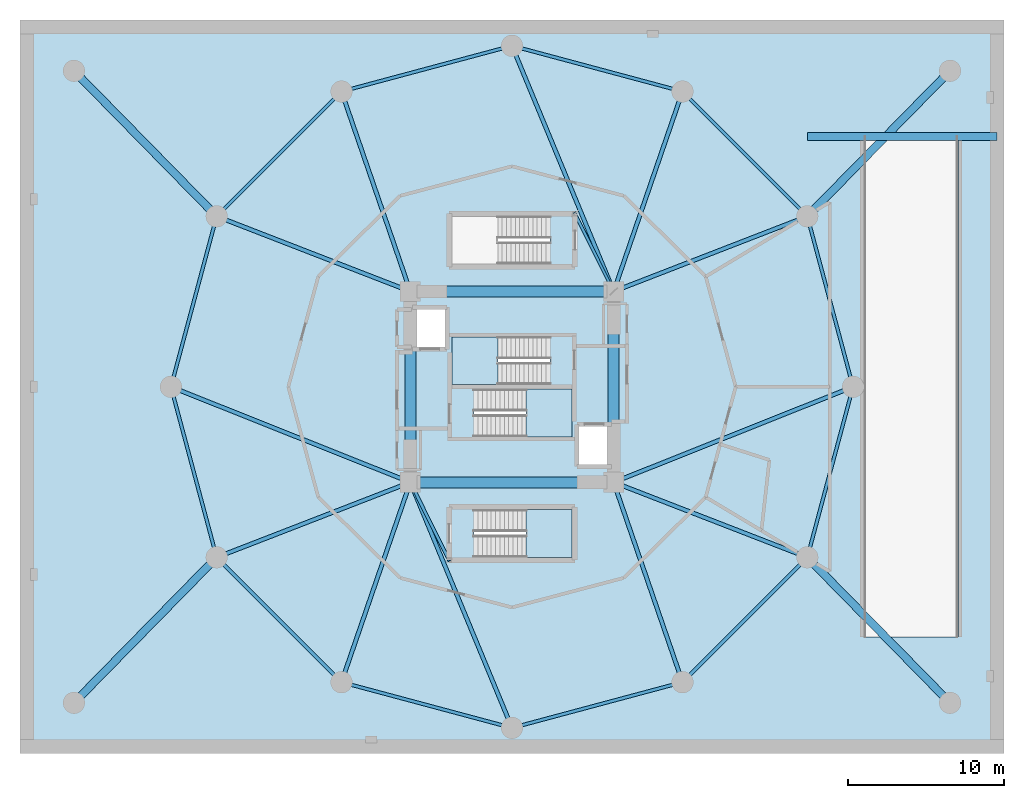
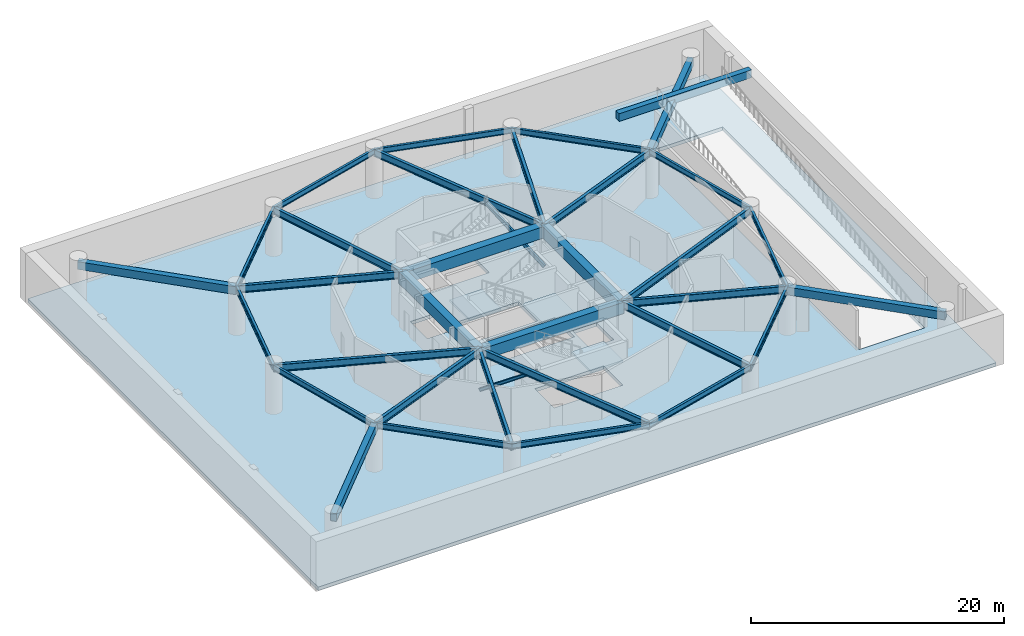
# One storey, part 4 of 10: 33 beams, 4 slabs, 2 members, 3 elements without a shape of their own.
"""IFC4 building model written with IfcOpenShell, lengths in metres."""

from ifc_helpers import new_model, si_unit, direction, frame, origin, origin_2d, place, context, subcontext, project, spatial, polyline, rectangle, hollow_rectangle, i_section, outline, extrude, material, layer, layer_set, material_profile, profile_set, type_object, element, aggregate, save


model = new_model("IFC4")

# Units and contexts
model_context = context("Model", 3, precision=1e-05, world=origin(), true_north=direction((0.0, 1.0)))
body_context = subcontext(model_context, "Body", "Model", "MODEL_VIEW")
ifc_project = project(units=[si_unit("LENGTHUNIT", "METRE"), si_unit("AREAUNIT", "SQUARE_METRE"), si_unit("VOLUMEUNIT", "CUBIC_METRE"), si_unit("PLANEANGLEUNIT", "RADIAN"), si_unit("MASSUNIT", "GRAM", prefix="KILO")], contexts=[model_context])

# Site, building, storey
site_placement = place(None, origin())
site = spatial("IfcSite", under=ifc_project, at=site_placement, CompositionType="ELEMENT")
building_placement = place(site_placement, origin())
building = spatial("IfcBuilding", under=site, at=building_placement, Name="Solvirekh Grand Hotel", CompositionType="ELEMENT")
storey_placement = place(building_placement, frame((0.0, 0.0, -4.800048828125)))
storey = spatial("IfcBuildingStorey", under=building, at=storey_placement, Name="B01", CompositionType="ELEMENT", Elevation=-4.800048828125)

# Beams
ifc_material_1 = material(Name="Concrete C50/60", Category="concrete")
ifc_material_profile_1 = material_profile(ifc_material_1, rectangle(XDim=0.5, YDim=0.75, at=origin_2d()), Name="RC BEAM 500X750")
ifc_profile_set_1 = profile_set([ifc_material_profile_1], Name="Concrete C50/60")
beam_type_1 = type_object("IfcBeamType", Name="Beam_Bsmt_RC750", PredefinedType="BEAM", material=ifc_profile_set_1)
beam_1_placement = place(storey_placement, frame((18.89990234375, 16.0, 4.425048828125), z_axis=(1.0, 0.0, 0.0), x_axis=(0.0, 1.0, 0.0)))
element("IfcBeam", 1, at=beam_1_placement, inside=storey, type_object=beam_type_1, Name="B01 vehicle ramp top landing support beam", PredefinedType="BEAM", context=body_context, shape_type="SweptSolid", body=[
    extrude(rectangle(XDim=0.5, YDim=0.75, at=origin_2d()), origin(), (0.0, 0.0, 1.0), 12.10009765625),
])
for number, where, z_axis, x_axis, name in (
    (2, (-28.0, 20.199951171875, 4.02001953125), (0.70020444152, -0.713942392687, 0.0), (0.713942392687, 0.70020444152, 0.0), "B01 basement corner tie beam BC-NW"),
    (3, (28.0, 20.199951171875, 4.02001953125), (-0.70020444152, -0.713942392687, 0.0), (0.713942392687, -0.70020444152, 0.0), "B01 basement corner tie beam BC-NE"),
    (4, (-28.0, -20.199951171875, 4.02001953125), (0.70020444152, 0.713942392687, 0.0), (-0.713942392687, 0.70020444152, 0.0), "B01 basement corner tie beam BC-SW"),
    (5, (28.0, -20.199951171875, 4.02001953125), (-0.70020444152, 0.713942392687, 0.0), (-0.713942392687, -0.70020444152, 0.0), "B01 basement corner tie beam BC-SE"),
):
    element("IfcBeam", number, at=place(storey_placement, frame(where, z_axis=z_axis, x_axis=x_axis)), inside=storey, type_object=beam_type_1, Name=name, PredefinedType="BEAM", context=body_context, shape_type="SweptSolid", body=[
        extrude(rectangle(XDim=0.5, YDim=0.75, at=origin_2d()), origin(), (0.0, 0.0, 1.0), 13.0263671875),
    ])
ifc_material_2 = material(Name="Concrete C60/75", Category="concrete")
ifc_material_profile_2 = material_profile(ifc_material_2, rectangle(XDim=0.699951171875, YDim=1.10009765625, at=origin_2d()), Name="RC BEAM 700X1100")
ifc_profile_set_2 = profile_set([ifc_material_profile_2], Name="Concrete C60/75")
beam_type_2 = type_object("IfcBeamType", Name="Beam_Core_RC1100", PredefinedType="BEAM", material=ifc_profile_set_2)
beam_2_placement = place(storey_placement, frame((-6.5, -6.10009765625, 3.844970703125), z_axis=(1.0, 0.0, 0.0), x_axis=(0.0, 1.0, 0.0)))
element("IfcBeam", 6, at=beam_2_placement, inside=storey, type_object=beam_type_2, Name="B01 core coupling ring beam 1", PredefinedType="BEAM", context=body_context, shape_type="SweptSolid", body=[
    extrude(rectangle(XDim=0.699951171875, YDim=1.10009765625, at=origin_2d()), origin(), (0.0, 0.0, 1.0), 13.0),
])
beam_3_placement = place(storey_placement, frame((6.5, -6.10009765625, 3.844970703125), z_axis=(0.0, 1.0, 0.0), x_axis=(-1.0, 0.0, 0.0)))
element("IfcBeam", 7, at=beam_3_placement, inside=storey, type_object=beam_type_2, Name="B01 core coupling ring beam 2", PredefinedType="BEAM", context=body_context, shape_type="SweptSolid", body=[
    extrude(rectangle(XDim=0.699951171875, YDim=1.10009765625, at=origin_2d()), origin(), (0.0, 0.0, 1.0), 12.2001953125),
])
beam_4_placement = place(storey_placement, frame((6.5, 6.10009765625, 3.844970703125), z_axis=(-1.0, 0.0, 0.0), x_axis=(0.0, -1.0, 0.0)))
element("IfcBeam", 8, at=beam_4_placement, inside=storey, type_object=beam_type_2, Name="B01 core coupling ring beam 3", PredefinedType="BEAM", context=body_context, shape_type="SweptSolid", body=[
    extrude(rectangle(XDim=0.699951171875, YDim=1.10009765625, at=origin_2d()), origin(), (0.0, 0.0, 1.0), 13.0),
])
beam_5_placement = place(storey_placement, frame((-6.5, 6.10009765625, 3.844970703125), z_axis=(0.0, -1.0, 0.0), x_axis=(1.0, 0.0, 0.0)))
element("IfcBeam", 9, at=beam_5_placement, inside=storey, type_object=beam_type_2, Name="B01 core coupling ring beam 4", PredefinedType="BEAM", context=body_context, shape_type="SweptSolid", body=[
    extrude(rectangle(XDim=0.699951171875, YDim=1.10009765625, at=origin_2d()), origin(), (0.0, 0.0, 1.0), 12.2001953125),
])
ifc_material_3 = material(Name="Steel S355", Category="steel")
ifc_material_profile_3 = material_profile(ifc_material_3, i_section(OverallWidth=0.2548828125, OverallDepth=0.695068359375, WebThickness=0.01611328125, FlangeThickness=0.028076171875, FilletRadius=0.01611328125, at=origin_2d()), Name="W690X217")
ifc_profile_set_3 = profile_set([ifc_material_profile_3], Name="Steel S355")
beam_type_3 = type_object("IfcBeamType", Name="Beam_Primary_W690", PredefinedType="BEAM", material=ifc_profile_set_3)
beam_6_placement = place(storey_placement, frame((6.5, -6.10009765625, 4.048095703125), z_axis=(0.9288931718, 0.370347776263, 0.0), x_axis=(-0.370347776263, 0.9288931718, 0.0)))
element("IfcBeam", 10, at=beam_6_placement, inside=storey, type_object=beam_type_3, Name="B01 radial floor beam R01", PredefinedType="BEAM", context=body_context, shape_type="SweptSolid", body=[
    extrude(i_section(OverallWidth=0.2548828125, OverallDepth=0.695068359375, WebThickness=0.01611328125, FlangeThickness=0.028076171875, FilletRadius=0.01611328125, at=origin_2d()), origin(), (0.0, 0.0, 1.0), 16.47119140625),
])
beam_7_placement = place(storey_placement, frame((6.5, 6.10009765625, 4.048095703125), z_axis=(0.932365862704, 0.361516110381, 0.0), x_axis=(-0.361516110381, 0.932365862704, 0.0)))
element("IfcBeam", 11, at=beam_7_placement, inside=storey, type_object=beam_type_3, Name="B01 radial floor beam R02", PredefinedType="BEAM", context=body_context, shape_type="SweptSolid", body=[
    extrude(i_section(OverallWidth=0.2548828125, OverallDepth=0.695068359375, WebThickness=0.01611328125, FlangeThickness=0.028076171875, FilletRadius=0.01611328125, at=origin_2d()), origin(), (0.0, 0.0, 1.0), 13.27685546875),
])
beam_8_placement = place(storey_placement, frame((6.5, 6.10009765625, 4.048095703125), z_axis=(0.325555300394, 0.94552300151, 0.0), x_axis=(-0.94552300151, 0.325555300394, 0.0)))
element("IfcBeam", 12, at=beam_8_placement, inside=storey, type_object=beam_type_3, Name="B01 radial floor beam R03", PredefinedType="BEAM", context=body_context, shape_type="SweptSolid", body=[
    extrude(i_section(OverallWidth=0.2548828125, OverallDepth=0.695068359375, WebThickness=0.01611328125, FlangeThickness=0.028076171875, FilletRadius=0.01611328125, at=origin_2d()), origin(), (0.0, 0.0, 1.0), 13.51513671875),
])
beam_9_placement = place(storey_placement, frame((6.5, 6.10009765625, 4.048095703125), z_axis=(-0.382526065589, 0.923944700264, 0.0), x_axis=(-0.923944700264, -0.382526065589, 0.0)))
element("IfcBeam", 13, at=beam_9_placement, inside=storey, type_object=beam_type_3, Name="B01 radial floor beam R04", PredefinedType="BEAM", context=body_context, shape_type="SweptSolid", body=[
    extrude(i_section(OverallWidth=0.2548828125, OverallDepth=0.695068359375, WebThickness=0.01611328125, FlangeThickness=0.028076171875, FilletRadius=0.01611328125, at=origin_2d()), origin(), (0.0, 0.0, 1.0), 16.9921875),
])
beam_10_placement = place(storey_placement, frame((-6.5, 6.10009765625, 4.048095703125), z_axis=(-0.325555300394, 0.94552300151, 0.0), x_axis=(-0.94552300151, -0.325555300394, 0.0)))
element("IfcBeam", 14, at=beam_10_placement, inside=storey, type_object=beam_type_3, Name="B01 radial floor beam R05", PredefinedType="BEAM", context=body_context, shape_type="SweptSolid", body=[
    extrude(i_section(OverallWidth=0.2548828125, OverallDepth=0.695068359375, WebThickness=0.01611328125, FlangeThickness=0.028076171875, FilletRadius=0.01611328125, at=origin_2d()), origin(), (0.0, 0.0, 1.0), 13.51513671875),
])
beam_11_placement = place(storey_placement, frame((-6.5, 6.10009765625, 4.048095703125), z_axis=(-0.932365862704, 0.361516110381, 0.0), x_axis=(-0.361516110381, -0.932365862704, 0.0)))
element("IfcBeam", 15, at=beam_11_placement, inside=storey, type_object=beam_type_3, Name="B01 radial floor beam R06", PredefinedType="BEAM", context=body_context, shape_type="SweptSolid", body=[
    extrude(i_section(OverallWidth=0.2548828125, OverallDepth=0.695068359375, WebThickness=0.01611328125, FlangeThickness=0.028076171875, FilletRadius=0.01611328125, at=origin_2d()), origin(), (0.0, 0.0, 1.0), 13.27685546875),
])
beam_12_placement = place(storey_placement, frame((-6.5, -6.10009765625, 4.048095703125), z_axis=(-0.9288931718, 0.370347776263, 0.0), x_axis=(-0.370347776263, -0.9288931718, 0.0)))
element("IfcBeam", 16, at=beam_12_placement, inside=storey, type_object=beam_type_3, Name="B01 radial floor beam R07", PredefinedType="BEAM", context=body_context, shape_type="SweptSolid", body=[
    extrude(i_section(OverallWidth=0.2548828125, OverallDepth=0.695068359375, WebThickness=0.01611328125, FlangeThickness=0.028076171875, FilletRadius=0.01611328125, at=origin_2d()), origin(), (0.0, 0.0, 1.0), 16.47119140625),
])
beam_13_placement = place(storey_placement, frame((-6.5, -6.10009765625, 4.048095703125), z_axis=(-0.932365862704, -0.361516110381, 0.0), x_axis=(0.361516110381, -0.932365862704, 0.0)))
element("IfcBeam", 17, at=beam_13_placement, inside=storey, type_object=beam_type_3, Name="B01 radial floor beam R08", PredefinedType="BEAM", context=body_context, shape_type="SweptSolid", body=[
    extrude(i_section(OverallWidth=0.2548828125, OverallDepth=0.695068359375, WebThickness=0.01611328125, FlangeThickness=0.028076171875, FilletRadius=0.01611328125, at=origin_2d()), origin(), (0.0, 0.0, 1.0), 13.27685546875),
])
beam_14_placement = place(storey_placement, frame((-6.5, -6.10009765625, 4.048095703125), z_axis=(-0.325555300394, -0.94552300151, 0.0), x_axis=(0.94552300151, -0.325555300394, 0.0)))
element("IfcBeam", 18, at=beam_14_placement, inside=storey, type_object=beam_type_3, Name="B01 radial floor beam R09", PredefinedType="BEAM", context=body_context, shape_type="SweptSolid", body=[
    extrude(i_section(OverallWidth=0.2548828125, OverallDepth=0.695068359375, WebThickness=0.01611328125, FlangeThickness=0.028076171875, FilletRadius=0.01611328125, at=origin_2d()), origin(), (0.0, 0.0, 1.0), 13.51513671875),
])
beam_15_placement = place(storey_placement, frame((-6.5, -6.10009765625, 4.048095703125), z_axis=(0.382526065589, -0.923944700264, 0.0), x_axis=(0.923944700264, 0.382526065589, 0.0)))
element("IfcBeam", 19, at=beam_15_placement, inside=storey, type_object=beam_type_3, Name="B01 radial floor beam R10", PredefinedType="BEAM", context=body_context, shape_type="SweptSolid", body=[
    extrude(i_section(OverallWidth=0.2548828125, OverallDepth=0.695068359375, WebThickness=0.01611328125, FlangeThickness=0.028076171875, FilletRadius=0.01611328125, at=origin_2d()), origin(), (0.0, 0.0, 1.0), 16.9921875),
])
beam_16_placement = place(storey_placement, frame((6.5, -6.10009765625, 4.048095703125), z_axis=(0.325555300394, -0.94552300151, 0.0), x_axis=(0.94552300151, 0.325555300394, 0.0)))
element("IfcBeam", 20, at=beam_16_placement, inside=storey, type_object=beam_type_3, Name="B01 radial floor beam R11", PredefinedType="BEAM", context=body_context, shape_type="SweptSolid", body=[
    extrude(i_section(OverallWidth=0.2548828125, OverallDepth=0.695068359375, WebThickness=0.01611328125, FlangeThickness=0.028076171875, FilletRadius=0.01611328125, at=origin_2d()), origin(), (0.0, 0.0, 1.0), 13.51513671875),
])
beam_17_placement = place(storey_placement, frame((6.5, -6.10009765625, 4.048095703125), z_axis=(0.932365862704, -0.361516110381, 0.0), x_axis=(0.361516110381, 0.932365862704, 0.0)))
element("IfcBeam", 21, at=beam_17_placement, inside=storey, type_object=beam_type_3, Name="B01 radial floor beam R12", PredefinedType="BEAM", context=body_context, shape_type="SweptSolid", body=[
    extrude(i_section(OverallWidth=0.2548828125, OverallDepth=0.695068359375, WebThickness=0.01611328125, FlangeThickness=0.028076171875, FilletRadius=0.01611328125, at=origin_2d()), origin(), (0.0, 0.0, 1.0), 13.27685546875),
])
ifc_material_profile_4 = material_profile(ifc_material_3, i_section(OverallWidth=0.208984375, OverallDepth=0.532958984375, WebThickness=0.010009765625, FlangeThickness=0.014892578125, FilletRadius=0.013916015625, at=origin_2d()), Name="W530X92")
ifc_profile_set_4 = profile_set([ifc_material_profile_4], Name="Steel S355")
beam_type_4 = type_object("IfcBeamType", Name="Spandrel_Ring_W530", PredefinedType="SPANDREL", material=ifc_profile_set_4)
beam_18_placement = place(storey_placement, frame((21.800048828125, 0.0, 4.129150390625), z_axis=(-0.258862249378, 0.965914248703, 0.0), x_axis=(-0.965914248703, -0.258862249378, 0.0)))
element("IfcBeam", 22, at=beam_18_placement, inside=storey, type_object=beam_type_4, Name="B01 perimeter spandrel beam 1", PredefinedType="SPANDREL", context=body_context, shape_type="SweptSolid", body=[
    extrude(i_section(OverallWidth=0.208984375, OverallDepth=0.532958984375, WebThickness=0.010009765625, FlangeThickness=0.014892578125, FilletRadius=0.013916015625, at=origin_2d()), origin(), (0.0, 0.0, 1.0), 11.284423828125),
])
beam_19_placement = place(storey_placement, frame((18.87890625, 10.89990234375, 4.129150390625), z_axis=(-0.707106781187, 0.707106781187, 0.0), x_axis=(-0.707106781187, -0.707106781187, 0.0)))
element("IfcBeam", 23, at=beam_19_placement, inside=storey, type_object=beam_type_4, Name="B01 perimeter spandrel beam 2", PredefinedType="SPANDREL", context=body_context, shape_type="SweptSolid", body=[
    extrude(i_section(OverallWidth=0.208984375, OverallDepth=0.532958984375, WebThickness=0.010009765625, FlangeThickness=0.014892578125, FilletRadius=0.013916015625, at=origin_2d()), origin(), (0.0, 0.0, 1.0), 11.283935546875),
])
for number, where, z_axis, x_axis, name in (
    (24, (10.89990234375, 18.87890625, 4.129150390625), (-0.965914248703, 0.258862249378, 0.0), (-0.258862249378, -0.965914248703, 0.0), "B01 perimeter spandrel beam 3"),
    (25, (0.0, 21.800048828125, 4.129150390625), (-0.965914248703, -0.258862249378, 0.0), (0.258862249378, -0.965914248703, 0.0), "B01 perimeter spandrel beam 4"),
):
    element("IfcBeam", number, at=place(storey_placement, frame(where, z_axis=z_axis, x_axis=x_axis)), inside=storey, type_object=beam_type_4, Name=name, PredefinedType="SPANDREL", context=body_context, shape_type="SweptSolid", body=[
        extrude(i_section(OverallWidth=0.208984375, OverallDepth=0.532958984375, WebThickness=0.010009765625, FlangeThickness=0.014892578125, FilletRadius=0.013916015625, at=origin_2d()), origin(), (0.0, 0.0, 1.0), 11.284423828125),
    ])
beam_20_placement = place(storey_placement, frame((-10.89990234375, 18.87890625, 4.129150390625), z_axis=(-0.707106781187, -0.707106781187, 0.0), x_axis=(0.707106781187, -0.707106781187, 0.0)))
element("IfcBeam", 26, at=beam_20_placement, inside=storey, type_object=beam_type_4, Name="B01 perimeter spandrel beam 5", PredefinedType="SPANDREL", context=body_context, shape_type="SweptSolid", body=[
    extrude(i_section(OverallWidth=0.208984375, OverallDepth=0.532958984375, WebThickness=0.010009765625, FlangeThickness=0.014892578125, FilletRadius=0.013916015625, at=origin_2d()), origin(), (0.0, 0.0, 1.0), 11.283935546875),
])
for number, where, z_axis, x_axis, name in (
    (27, (-18.87890625, 10.89990234375, 4.129150390625), (-0.258862249378, -0.965914248703, 0.0), (0.965914248703, -0.258862249378, 0.0), "B01 perimeter spandrel beam 6"),
    (28, (-21.800048828125, 0.0, 4.129150390625), (0.258862249378, -0.965914248703, 0.0), (0.965914248703, 0.258862249378, 0.0), "B01 perimeter spandrel beam 7"),
):
    element("IfcBeam", number, at=place(storey_placement, frame(where, z_axis=z_axis, x_axis=x_axis)), inside=storey, type_object=beam_type_4, Name=name, PredefinedType="SPANDREL", context=body_context, shape_type="SweptSolid", body=[
        extrude(i_section(OverallWidth=0.208984375, OverallDepth=0.532958984375, WebThickness=0.010009765625, FlangeThickness=0.014892578125, FilletRadius=0.013916015625, at=origin_2d()), origin(), (0.0, 0.0, 1.0), 11.284423828125),
    ])
beam_21_placement = place(storey_placement, frame((-18.87890625, -10.89990234375, 4.129150390625), z_axis=(0.707106781187, -0.707106781187, 0.0), x_axis=(0.707106781187, 0.707106781187, 0.0)))
element("IfcBeam", 29, at=beam_21_placement, inside=storey, type_object=beam_type_4, Name="B01 perimeter spandrel beam 8", PredefinedType="SPANDREL", context=body_context, shape_type="SweptSolid", body=[
    extrude(i_section(OverallWidth=0.208984375, OverallDepth=0.532958984375, WebThickness=0.010009765625, FlangeThickness=0.014892578125, FilletRadius=0.013916015625, at=origin_2d()), origin(), (0.0, 0.0, 1.0), 11.283935546875),
])
for number, where, z_axis, x_axis, name in (
    (30, (-10.89990234375, -18.87890625, 4.129150390625), (0.965914248703, -0.258862249378, 0.0), (0.258862249378, 0.965914248703, 0.0), "B01 perimeter spandrel beam 9"),
    (31, (0.0, -21.800048828125, 4.129150390625), (0.965914248703, 0.258862249378, 0.0), (-0.258862249378, 0.965914248703, 0.0), "B01 perimeter spandrel beam 10"),
):
    element("IfcBeam", number, at=place(storey_placement, frame(where, z_axis=z_axis, x_axis=x_axis)), inside=storey, type_object=beam_type_4, Name=name, PredefinedType="SPANDREL", context=body_context, shape_type="SweptSolid", body=[
        extrude(i_section(OverallWidth=0.208984375, OverallDepth=0.532958984375, WebThickness=0.010009765625, FlangeThickness=0.014892578125, FilletRadius=0.013916015625, at=origin_2d()), origin(), (0.0, 0.0, 1.0), 11.284423828125),
    ])
beam_22_placement = place(storey_placement, frame((10.89990234375, -18.87890625, 4.129150390625), z_axis=(0.707106781187, 0.707106781187, 0.0), x_axis=(-0.707106781187, 0.707106781187, 0.0)))
element("IfcBeam", 32, at=beam_22_placement, inside=storey, type_object=beam_type_4, Name="B01 perimeter spandrel beam 11", PredefinedType="SPANDREL", context=body_context, shape_type="SweptSolid", body=[
    extrude(i_section(OverallWidth=0.208984375, OverallDepth=0.532958984375, WebThickness=0.010009765625, FlangeThickness=0.014892578125, FilletRadius=0.013916015625, at=origin_2d()), origin(), (0.0, 0.0, 1.0), 11.283935546875),
])
beam_23_placement = place(storey_placement, frame((18.87890625, -10.89990234375, 4.129150390625), z_axis=(0.258862249378, 0.965914248703, 0.0), x_axis=(-0.965914248703, 0.258862249378, 0.0)))
element("IfcBeam", 33, at=beam_23_placement, inside=storey, type_object=beam_type_4, Name="B01 perimeter spandrel beam 12", PredefinedType="SPANDREL", context=body_context, shape_type="SweptSolid", body=[
    extrude(i_section(OverallWidth=0.208984375, OverallDepth=0.532958984375, WebThickness=0.010009765625, FlangeThickness=0.014892578125, FilletRadius=0.013916015625, at=origin_2d()), origin(), (0.0, 0.0, 1.0), 11.284423828125),
])

# Members
ifc_material_profile_5 = material_profile(ifc_material_3, i_section(OverallWidth=0.201904296875, OverallDepth=0.2470703125, WebThickness=0.007080078125, FlangeThickness=0.010986328125, FilletRadius=0.010009765625, at=origin_2d()), Name="W250X49")
ifc_profile_set_5 = profile_set([ifc_material_profile_5], Name="Steel S355")
member_type_1 = type_object("IfcMemberType", Name="Stringer_Feature_W250", PredefinedType="STRINGER", material=ifc_profile_set_5)
member_1_placement = place(storey_placement, frame((-6.5, -6.10009765625, 0.25), z_axis=(0.361510087625, -0.726621725738, 0.584235675246), x_axis=(0.895312965643, 0.445437642719, 0.0)))
element("IfcMember", 34, at=member_1_placement, inside=storey, type_object=member_type_1, Name="B01 podium stair ST-3 steel stringer", PredefinedType="STRINGER", context=body_context, shape_type="SweptSolid", body=[
    extrude(i_section(OverallWidth=0.201904296875, OverallDepth=0.2470703125, WebThickness=0.007080078125, FlangeThickness=0.010986328125, FilletRadius=0.010009765625, at=origin_2d()), origin(), (0.0, 0.0, 1.0), 6.846435546875),
])
ifc_material_profile_6 = material_profile(ifc_material_3, hollow_rectangle(XDim=0.179931640625, YDim=0.300048828125, WallThickness=0.011962890625, at=origin_2d()), Name="RHS 300X180X12")
ifc_profile_set_6 = profile_set([ifc_material_profile_6], Name="Steel S355")
member_type_2 = type_object("IfcMemberType", Name="Stringer_Stair_RHS300", PredefinedType="STRINGER", material=ifc_profile_set_6)
member_2_placement = place(storey_placement, frame((6.5, 6.10009765625, 0.25), z_axis=(-0.361510087625, 0.726621725738, 0.584235675246), x_axis=(-0.895312965643, -0.445437642719, 0.0)))
element("IfcMember", 35, at=member_2_placement, inside=storey, type_object=member_type_2, Name="B01 feature stair ST-4 steel stringer", PredefinedType="STRINGER", context=body_context, shape_type="SweptSolid", body=[
    extrude(hollow_rectangle(XDim=0.179931640625, YDim=0.300048828125, WallThickness=0.011962890625, at=origin_2d()), origin(), (0.0, 0.0, 1.0), 6.846435546875),
])

# Stair, slab
ifc_material_4 = material(Name="Concrete C40/50", Category="concrete")
stair_type_1 = type_object("IfcStairType", Name="Stair_Pod_1600", PredefinedType="HALF_TURN_STAIR", material=ifc_material_4)
stair_1_placement = place(storey_placement, origin())
stair_1 = element("IfcStair", 36, at=stair_1_placement, inside=storey, type_object=stair_type_1, Name="B01 Enclosed exit stair ST-3", PredefinedType="HALF_TURN_STAIR")
ifc_layer_1 = layer(ifc_material_4, 0.219970703125)
ifc_layer_set_1 = layer_set([ifc_layer_1], Name="Concrete C40/50")
slab_type_1 = type_object("IfcSlabType", Name="Landing_PodStair_220", PredefinedType="LANDING", material=ifc_layer_set_1)
slab_1_placement = place(storey_placement, frame((0.0, 0.0, 2.199951171875)))
slab_1 = element("IfcSlab", 37, at=slab_1_placement, type_object=slab_type_1, Name="ST-3 landing 1", PredefinedType="LANDING", context=body_context, shape_type="SweptSolid", body=[
    extrude(outline(polyline([(0.909912109375, -10.89990234375), (3.85009765625, -10.89990234375), (3.85009765625, -7.85009765625), (0.909912109375, -7.85009765625), (0.909912109375, -10.89990234375)])), origin(), (0.0, 0.0, 1.0), 0.2001953125),
])
aggregate(stair_1, [slab_1])

stair_type_2 = type_object("IfcStairType", Name="Stair_Core_1450", PredefinedType="HALF_TURN_STAIR", material=ifc_material_4)
stair_2_placement = place(storey_placement, origin())
stair_2 = element("IfcStair", 38, at=stair_2_placement, inside=storey, type_object=stair_type_2, Name="B01 Enclosed exit stair ST-1", PredefinedType="HALF_TURN_STAIR")
ifc_layer_2 = layer(ifc_material_4, 0.199951171875)
ifc_layer_set_2 = layer_set([ifc_layer_2], Name="Concrete C40/50")
slab_type_2 = type_object("IfcSlabType", Name="Landing_Stair_200", PredefinedType="LANDING", material=ifc_layer_set_2)
slab_2_placement = place(storey_placement, frame((0.0, 0.0, 2.199951171875)))
slab_2 = element("IfcSlab", 39, at=slab_2_placement, type_object=slab_type_2, Name="ST-1 landing 1", PredefinedType="LANDING", context=body_context, shape_type="SweptSolid", body=[
    extrude(outline(polyline([(0.909912109375, -3.199951171875), (3.85009765625, -3.199951171875), (3.85009765625, -0.14990234375), (0.909912109375, -0.14990234375), (0.909912109375, -3.199951171875)])), origin(), (0.0, 0.0, 1.0), 0.2001953125),
])
aggregate(stair_2, [slab_2])

stair_3_placement = place(storey_placement, origin())
stair_3 = element("IfcStair", 40, at=stair_3_placement, inside=storey, type_object=stair_type_2, Name="B01 Enclosed exit stair ST-2", PredefinedType="HALF_TURN_STAIR")
slab_3_placement = place(storey_placement, frame((0.0, 0.0, 2.199951171875)))
slab_3 = element("IfcSlab", 41, at=slab_3_placement, type_object=slab_type_2, Name="ST-2 landing 1", PredefinedType="LANDING", context=body_context, shape_type="SweptSolid", body=[
    extrude(outline(polyline([(-0.909912109375, 3.199951171875), (-3.85009765625, 3.199951171875), (-3.85009765625, 0.14990234375), (-0.909912109375, 0.14990234375), (-0.909912109375, 3.199951171875)])), origin(), (0.0, 0.0, 1.0), 0.2001953125),
])
aggregate(stair_3, [slab_3])

# Slab
ifc_layer_3 = layer(ifc_material_1, 0.340087890625)
ifc_layer_set_3 = layer_set([ifc_layer_3], Name="Concrete C50/60")
slab_type_3 = type_object("IfcSlabType", Name="Slab_Bsmt_340", PredefinedType="FLOOR", material=ifc_layer_set_3)
slab_4_placement = place(storey_placement, frame((0.0, 0.0, -0.33984375)))
element("IfcSlab", 42, at=slab_4_placement, inside=storey, type_object=slab_type_3, Name="B01 structural floor slab", PredefinedType="FLOOR", context=body_context, shape_type="SweptSolid", body=[
    extrude(outline(polyline([(-31.0, -23.0), (31.0, -23.0), (31.0, 23.0), (-31.0, 23.0), (-31.0, -23.0)]), holes=[polyline([(-2.444091796875, -0.14990234375), (3.85009765625, -0.14990234375), (3.85009765625, -3.199951171875), (-2.444091796875, -3.199951171875), (-2.444091796875, -0.14990234375)]), polyline([(2.444091796875, 0.14990234375), (-3.85009765625, 0.14990234375), (-3.85009765625, 3.199951171875), (2.444091796875, 3.199951171875), (2.444091796875, 0.14990234375)]), polyline([(-2.444091796875, -7.85009765625), (3.85009765625, -7.85009765625), (3.85009765625, -10.89990234375), (-2.444091796875, -10.89990234375), (-2.444091796875, -7.85009765625)]), polyline([(2.444091796875, 7.85009765625), (-3.85009765625, 7.85009765625), (-3.85009765625, 10.89990234375), (2.444091796875, 10.89990234375), (2.444091796875, 7.85009765625)]), polyline([(-6.35009765625, 5.10009765625), (-4.14990234375, 5.10009765625), (-4.14990234375, 2.39990234375), (-6.35009765625, 2.39990234375), (-6.35009765625, 5.10009765625)]), polyline([(4.14990234375, -2.39990234375), (6.35009765625, -2.39990234375), (6.35009765625, -5.10009765625), (4.14990234375, -5.10009765625), (4.14990234375, -2.39990234375)]), polyline([(22.5, 16.0), (28.5, 16.0), (28.5, -16.0), (22.5, -16.0), (22.5, 16.0)])]), origin(), (0.0, 0.0, 1.0), 0.33984375),
])

save(model, "model.ifc")
